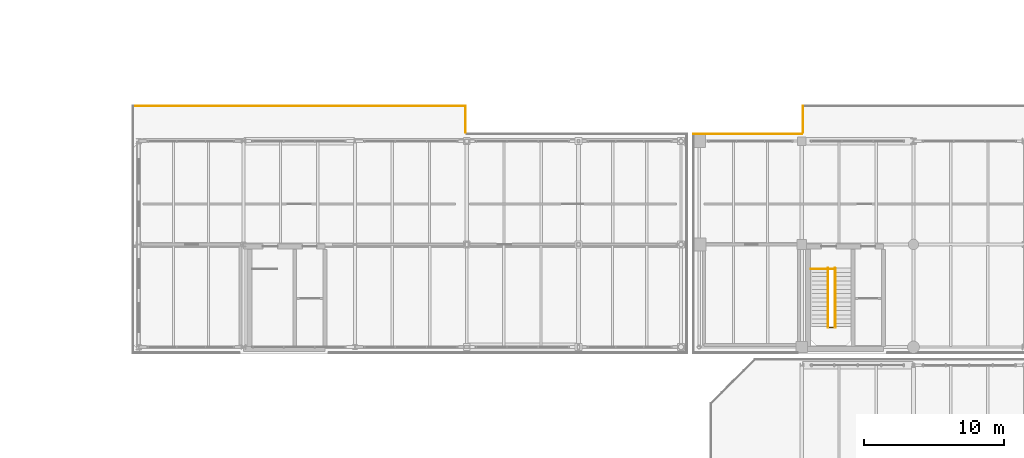
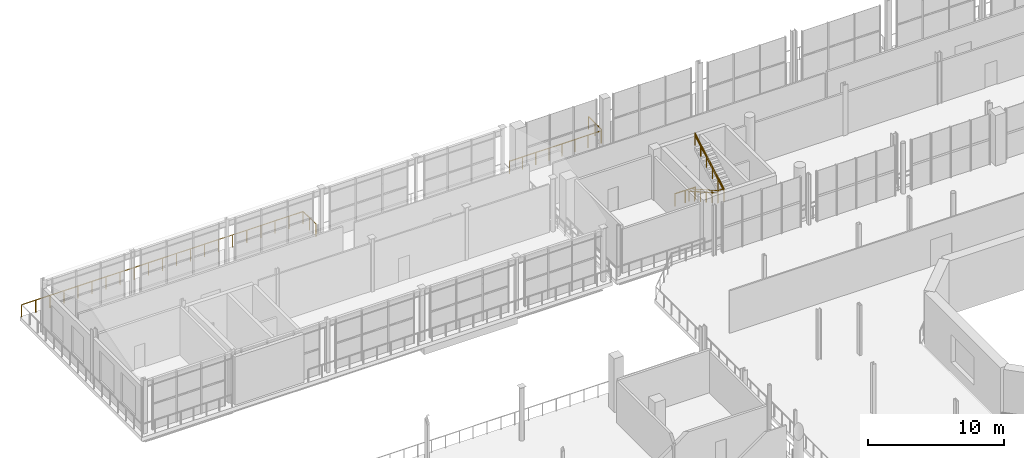
# One storey, part 88 of 93: 10 railings.
"""IFC4 building model written with IfcOpenShell, lengths in metres."""

from ifc_helpers import new_model, si_unit, direction, frame, origin, origin_2d, place, context, subcontext, project, spatial, circle, extrude, material, type_object, element, save


model = new_model("IFC4")

# Units and contexts
model_context = context("Model", 3, precision=1e-05, world=origin(), true_north=direction((0.0, 1.0)))
body_context = subcontext(model_context, "Body", "Model", "MODEL_VIEW")
ifc_project = project(units=[si_unit("LENGTHUNIT", "METRE"), si_unit("AREAUNIT", "SQUARE_METRE"), si_unit("VOLUMEUNIT", "CUBIC_METRE"), si_unit("PLANEANGLEUNIT", "RADIAN"), si_unit("MASSUNIT", "GRAM", prefix="KILO")], contexts=[model_context])

# Site, building, storey
site_placement = place(None, origin())
site = spatial("IfcSite", under=ifc_project, at=site_placement, CompositionType="ELEMENT")
building_placement = place(site_placement, origin())
building = spatial("IfcBuilding", under=site, at=building_placement, Name="Brisemont Oceanarium", CompositionType="ELEMENT")
storey_placement = place(building_placement, frame((0.0, 0.0, 5.39990234375)))
storey = spatial("IfcBuildingStorey", under=building, at=storey_placement, Name="L01", CompositionType="ELEMENT", Elevation=5.39990234375)

# Railings
ifc_material_1 = material(Name="Beaux-Arts Limestone Balustrade Precast Concrete C40/50", Category="masonry")
railing_type_1 = type_object("IfcRailingType", Name="RLG-BAL-1140", PredefinedType="BALUSTRADE", material=ifc_material_1)
railing_1_placement = place(storey_placement, frame((64.08984375, 96.015625, 0.0)))
element("IfcRailing", 1, at=railing_1_placement, inside=storey, type_object=railing_type_1, Name="L01 slab perimeter safety guard 68", PredefinedType="BALUSTRADE", context=body_context, shape_type="SweptSolid", body=[
    extrude(circle(Radius=0.02392578125, at=origin_2d()), frame((0.0, 0.0, 1.11572265625), z_axis=(0.000128915817, 0.99999999169, 0.0), x_axis=(-0.99999999169, 0.000128915817, 0.0)), (0.0, 0.0, 1.0), 1.893798828125),
    extrude(circle(Radius=0.02099609375, at=origin_2d()), origin(), (0.0, 0.0, 1.0), 1.091796875),
    extrude(circle(Radius=0.02099609375, at=origin_2d()), frame((0.0, 0.94677734375, 0.0)), (0.0, 0.0, 1.0), 1.091796875),
    extrude(circle(Radius=0.02099609375, at=origin_2d()), frame((0.000244140625, 1.893798828125, 0.0)), (0.0, 0.0, 1.0), 1.091796875),
])
railing_2_placement = place(storey_placement, frame((39.909423828125, 97.909912109375, 0.0)))
element("IfcRailing", 2, at=railing_2_placement, inside=storey, type_object=railing_type_1, Name="L01 slab perimeter safety guard 104", PredefinedType="BALUSTRADE", context=body_context, shape_type="SweptSolid", body=[
    extrude(circle(Radius=0.02392578125, at=origin_2d()), frame((0.0, 0.0, 1.11572265625), z_axis=(0.000386647735, -0.999999925252, 0.0), x_axis=(0.999999925252, 0.000386647735, 0.0)), (0.0, 0.0, 1.0), 1.894287109375),
    extrude(circle(Radius=0.02099609375, at=origin_2d()), origin(), (0.0, 0.0, 1.0), 1.091796875),
    extrude(circle(Radius=0.02099609375, at=origin_2d()), frame((0.00048828125, -0.947265625, 0.0)), (0.0, 0.0, 1.0), 1.091796875),
    extrude(circle(Radius=0.02099609375, at=origin_2d()), frame((0.000732421875, -1.894287109375, 0.0)), (0.0, 0.0, 1.0), 1.091796875),
])
ifc_material_2 = material(Name="Duplex Stainless Steel EN 1.4462", Category="steel")
railing_type_2 = type_object("IfcRailingType", Name="RLG-GUARD-1120", PredefinedType="GUARDRAIL", material=ifc_material_2)
railing_3_placement = place(storey_placement, frame((64.669921875, 86.239990234375, 0.0)))
element("IfcRailing", 3, at=railing_3_placement, inside=storey, type_object=railing_type_2, Name="ST-08 L01 landing edge guard", PredefinedType="GUARDRAIL", context=body_context, shape_type="SweptSolid", body=[
    extrude(circle(Radius=0.02392578125, at=origin_2d()), frame((0.0, 0.0, 1.09619140625), z_axis=(1.0, 0.0, 0.0), x_axis=(0.0, 1.0, 0.0)), (0.0, 0.0, 1.0), 1.719970703125),
    extrude(circle(Radius=0.02099609375, at=origin_2d()), origin(), (0.0, 0.0, 1.0), 1.072021484375),
    extrude(circle(Radius=0.02099609375, at=origin_2d()), frame((0.85986328125, 0.0, 0.0)), (0.0, 0.0, 1.0), 1.072021484375),
    extrude(circle(Radius=0.02099609375, at=origin_2d()), frame((1.719970703125, 0.0, 0.0)), (0.0, 0.0, 1.0), 1.072021484375),
])
railing_4_placement = place(storey_placement, frame((65.8701171875, 86.300048828125, 0.0)))
element("IfcRailing", 4, at=railing_4_placement, inside=storey, type_object=railing_type_2, Name="ST-08 L01 F1 well guard", PredefinedType="GUARDRAIL", context=body_context, shape_type="SweptSolid", body=[
    extrude(circle(Radius=0.02392578125, at=origin_2d()), frame((0.0, 0.0, 1.09619140625), z_axis=(0.0, -0.870740716755, 0.491742416499), x_axis=(1.0, 0.0, 0.0)), (0.0, 0.0, 1.0), 4.880859375),
    extrude(circle(Radius=0.02099609375, at=origin_2d()), origin(), (0.0, 0.0, 1.0), 1.072021484375),
    extrude(circle(Radius=0.02099609375, at=origin_2d()), frame((0.0, -0.85009765625, 0.47998046875)), (0.0, 0.0, 1.0), 1.072021484375),
    extrude(circle(Radius=0.02099609375, at=origin_2d()), frame((0.0, -1.699951171875, 0.9599609375)), (0.0, 0.0, 1.0), 1.072021484375),
    extrude(circle(Radius=0.02099609375, at=origin_2d()), frame((0.0, -2.550048828125, 1.440185546875)), (0.0, 0.0, 1.0), 1.072021484375),
    extrude(circle(Radius=0.02099609375, at=origin_2d()), frame((0.0, -3.39990234375, 1.920166015625)), (0.0, 0.0, 1.0), 1.072021484375),
    extrude(circle(Radius=0.02099609375, at=origin_2d()), frame((0.0, -4.25, 2.400146484375)), (0.0, 0.0, 1.0), 1.072021484375),
])
railing_5_placement = place(storey_placement, frame((66.389892578125, 82.050048828125, 2.400146484375)))
element("IfcRailing", 5, at=railing_5_placement, inside=storey, type_object=railing_type_2, Name="ST-08 L01 F2 well guard", PredefinedType="GUARDRAIL", context=body_context, shape_type="SweptSolid", body=[
    extrude(circle(Radius=0.02392578125, at=origin_2d()), frame((0.0, 0.0, 1.09619140625), z_axis=(0.0, 0.870762133844, 0.491704490791), x_axis=(-1.0, 0.0, 0.0)), (0.0, 0.0, 1.0), 4.880859375),
    extrude(circle(Radius=0.02099609375, at=origin_2d()), origin(), (0.0, 0.0, 1.0), 1.072021484375),
    extrude(circle(Radius=0.02099609375, at=origin_2d()), frame((0.0, 0.85009765625, 0.47998046875)), (0.0, 0.0, 1.0), 1.072021484375),
    extrude(circle(Radius=0.02099609375, at=origin_2d()), frame((0.0, 1.699951171875, 0.9599609375)), (0.0, 0.0, 1.0), 1.072021484375),
    extrude(circle(Radius=0.02099609375, at=origin_2d()), frame((0.0, 2.550048828125, 1.43994140625)), (0.0, 0.0, 1.0), 1.072021484375),
    extrude(circle(Radius=0.02099609375, at=origin_2d()), frame((0.0, 3.39990234375, 1.919921875)), (0.0, 0.0, 1.0), 1.072021484375),
    extrude(circle(Radius=0.02099609375, at=origin_2d()), frame((0.0, 4.25, 2.39990234375)), (0.0, 0.0, 1.0), 1.072021484375),
])
railing_6_placement = place(storey_placement, frame((65.8701171875, 82.050048828125, 2.400146484375)))
element("IfcRailing", 6, at=railing_6_placement, inside=storey, type_object=railing_type_2, Name="ST-08 L01 landing slot guard", PredefinedType="GUARDRAIL", context=body_context, shape_type="SweptSolid", body=[
    extrude(circle(Radius=0.02392578125, at=origin_2d()), frame((0.0, 0.0, 1.09619140625), z_axis=(1.0, 0.0, 0.0), x_axis=(0.0, 1.0, 0.0)), (0.0, 0.0, 1.0), 0.519775390625),
    extrude(circle(Radius=0.02099609375, at=origin_2d()), origin(), (0.0, 0.0, 1.0), 1.072021484375),
    extrude(circle(Radius=0.02099609375, at=origin_2d()), frame((0.519775390625, 0.0, 0.0)), (0.0, 0.0, 1.0), 1.072021484375),
])
railing_7_placement = place(storey_placement, frame((56.239990234375, 95.909423828125, 0.0)))
element("IfcRailing", 7, at=railing_7_placement, inside=storey, type_object=railing_type_2, Name="L01 slab perimeter safety guard 67", PredefinedType="GUARDRAIL", context=body_context, shape_type="SweptSolid", body=[
    extrude(circle(Radius=0.02392578125, at=origin_2d()), frame((0.0, 0.0, 1.09619140625), z_axis=(0.999999857259, 0.000534305484, 0.0), x_axis=(-0.000534305484, 0.999999857259, 0.0)), (0.0, 0.0, 1.0), 7.767822265625),
    extrude(circle(Radius=0.02099609375, at=origin_2d()), origin(), (0.0, 0.0, 1.0), 1.072021484375),
    extrude(circle(Radius=0.02099609375, at=origin_2d()), frame((1.109619140625, 0.00048828125, 0.0)), (0.0, 0.0, 1.0), 1.072021484375),
    extrude(circle(Radius=0.02099609375, at=origin_2d()), frame((2.219482421875, 0.001220703125, 0.0)), (0.0, 0.0, 1.0), 1.072021484375),
    extrude(circle(Radius=0.02099609375, at=origin_2d()), frame((3.3291015625, 0.001708984375, 0.0)), (0.0, 0.0, 1.0), 1.072021484375),
    extrude(circle(Radius=0.02099609375, at=origin_2d()), frame((4.438720703125, 0.00244140625, 0.0)), (0.0, 0.0, 1.0), 1.072021484375),
    extrude(circle(Radius=0.02099609375, at=origin_2d()), frame((5.54833984375, 0.0029296875, 0.0)), (0.0, 0.0, 1.0), 1.072021484375),
    extrude(circle(Radius=0.02099609375, at=origin_2d()), frame((6.658203125, 0.003662109375, 0.0)), (0.0, 0.0, 1.0), 1.072021484375),
    extrude(circle(Radius=0.02099609375, at=origin_2d()), frame((7.767822265625, 0.004150390625, 0.0)), (0.0, 0.0, 1.0), 1.072021484375),
])
railing_8_placement = place(storey_placement, frame((16.090087890625, 97.909423828125, 0.0)))
element("IfcRailing", 8, at=railing_8_placement, inside=storey, type_object=railing_type_2, Name="L01 slab perimeter safety guard 103", PredefinedType="GUARDRAIL", context=body_context, shape_type="SweptSolid", body=[
    extrude(circle(Radius=0.02392578125, at=origin_2d()), frame((0.0, 0.0, 1.09619140625), z_axis=(0.99999999979, 2.0499365e-05, 0.0), x_axis=(-2.0499365e-05, 0.99999999979, 0.0)), (0.0, 0.0, 1.0), 23.8193359375),
    extrude(circle(Radius=0.02099609375, at=origin_2d()), origin(), (0.0, 0.0, 1.0), 1.072021484375),
    extrude(circle(Radius=0.02099609375, at=origin_2d()), frame((1.19091796875, 0.0, 0.0)), (0.0, 0.0, 1.0), 1.072021484375),
    extrude(circle(Radius=0.02099609375, at=origin_2d()), frame((2.3818359375, 0.0, 0.0)), (0.0, 0.0, 1.0), 1.072021484375),
    extrude(circle(Radius=0.02099609375, at=origin_2d()), frame((3.572998046875, 0.0, 0.0)), (0.0, 0.0, 1.0), 1.072021484375),
    extrude(circle(Radius=0.02099609375, at=origin_2d()), frame((4.763916015625, 0.0, 0.0)), (0.0, 0.0, 1.0), 1.072021484375),
    extrude(circle(Radius=0.02099609375, at=origin_2d()), frame((5.954833984375, 0.0, 0.0)), (0.0, 0.0, 1.0), 1.072021484375),
    extrude(circle(Radius=0.02099609375, at=origin_2d()), frame((7.145751953125, 0.000244140625, 0.0)), (0.0, 0.0, 1.0), 1.072021484375),
    extrude(circle(Radius=0.02099609375, at=origin_2d()), frame((8.336669921875, 0.000244140625, 0.0)), (0.0, 0.0, 1.0), 1.072021484375),
    extrude(circle(Radius=0.02099609375, at=origin_2d()), frame((9.52783203125, 0.000244140625, 0.0)), (0.0, 0.0, 1.0), 1.072021484375),
    extrude(circle(Radius=0.02099609375, at=origin_2d()), frame((10.71875, 0.000244140625, 0.0)), (0.0, 0.0, 1.0), 1.072021484375),
    extrude(circle(Radius=0.02099609375, at=origin_2d()), frame((11.90966796875, 0.000244140625, 0.0)), (0.0, 0.0, 1.0), 1.072021484375),
    extrude(circle(Radius=0.02099609375, at=origin_2d()), frame((13.1005859375, 0.000244140625, 0.0)), (0.0, 0.0, 1.0), 1.072021484375),
    extrude(circle(Radius=0.02099609375, at=origin_2d()), frame((14.29150390625, 0.000244140625, 0.0)), (0.0, 0.0, 1.0), 1.072021484375),
    extrude(circle(Radius=0.02099609375, at=origin_2d()), frame((15.482666015625, 0.000244140625, 0.0)), (0.0, 0.0, 1.0), 1.072021484375),
    extrude(circle(Radius=0.02099609375, at=origin_2d()), frame((16.673583984375, 0.000244140625, 0.0)), (0.0, 0.0, 1.0), 1.072021484375),
    extrude(circle(Radius=0.02099609375, at=origin_2d()), frame((17.864501953125, 0.00048828125, 0.0)), (0.0, 0.0, 1.0), 1.072021484375),
    extrude(circle(Radius=0.02099609375, at=origin_2d()), frame((19.055419921875, 0.00048828125, 0.0)), (0.0, 0.0, 1.0), 1.072021484375),
    extrude(circle(Radius=0.02099609375, at=origin_2d()), frame((20.246337890625, 0.00048828125, 0.0)), (0.0, 0.0, 1.0), 1.072021484375),
    extrude(circle(Radius=0.02099609375, at=origin_2d()), frame((21.4375, 0.00048828125, 0.0)), (0.0, 0.0, 1.0), 1.072021484375),
    extrude(circle(Radius=0.02099609375, at=origin_2d()), frame((22.62841796875, 0.00048828125, 0.0)), (0.0, 0.0, 1.0), 1.072021484375),
    extrude(circle(Radius=0.02099609375, at=origin_2d()), frame((23.8193359375, 0.00048828125, 0.0)), (0.0, 0.0, 1.0), 1.072021484375),
])
ifc_material_3 = material(Name="Duplex Stainless Steel EN 1.4462", Category="steel")
railing_type_3 = type_object("IfcRailingType", Name="RLG-HAND-900", PredefinedType="HANDRAIL", material=ifc_material_3)
railing_9_placement = place(storey_placement, frame((65.8701171875, 86.300048828125, 0.0)))
element("IfcRailing", 9, at=railing_9_placement, inside=storey, type_object=railing_type_3, Name="ST-08 L01 F1 handrail", PredefinedType="HANDRAIL", context=body_context, shape_type="SweptSolid", body=[
    extrude(circle(Radius=0.02392578125, at=origin_2d()), frame((0.0, 0.0, 0.8759765625), z_axis=(0.0, -0.870740716755, 0.491742416499), x_axis=(1.0, 0.0, 0.0)), (0.0, 0.0, 1.0), 4.880859375),
    extrude(circle(Radius=0.02099609375, at=origin_2d()), origin(), (0.0, 0.0, 1.0), 0.851806640625),
    extrude(circle(Radius=0.02099609375, at=origin_2d()), frame((0.0, -0.85009765625, 0.47998046875)), (0.0, 0.0, 1.0), 0.851806640625),
    extrude(circle(Radius=0.02099609375, at=origin_2d()), frame((0.0, -1.699951171875, 0.9599609375)), (0.0, 0.0, 1.0), 0.851806640625),
    extrude(circle(Radius=0.02099609375, at=origin_2d()), frame((0.0, -2.550048828125, 1.440185546875)), (0.0, 0.0, 1.0), 0.851806640625),
    extrude(circle(Radius=0.02099609375, at=origin_2d()), frame((0.0, -3.39990234375, 1.920166015625)), (0.0, 0.0, 1.0), 0.851806640625),
    extrude(circle(Radius=0.02099609375, at=origin_2d()), frame((0.0, -4.25, 2.400146484375)), (0.0, 0.0, 1.0), 0.851806640625),
])
railing_10_placement = place(storey_placement, frame((66.389892578125, 82.050048828125, 2.400146484375)))
element("IfcRailing", 10, at=railing_10_placement, inside=storey, type_object=railing_type_3, Name="ST-08 L01 F2 handrail", PredefinedType="HANDRAIL", context=body_context, shape_type="SweptSolid", body=[
    extrude(circle(Radius=0.02392578125, at=origin_2d()), frame((0.0, 0.0, 0.8759765625), z_axis=(0.0, 0.870762133844, 0.491704490791), x_axis=(-1.0, 0.0, 0.0)), (0.0, 0.0, 1.0), 4.880859375),
    extrude(circle(Radius=0.02099609375, at=origin_2d()), origin(), (0.0, 0.0, 1.0), 0.851806640625),
    extrude(circle(Radius=0.02099609375, at=origin_2d()), frame((0.0, 0.85009765625, 0.47998046875)), (0.0, 0.0, 1.0), 0.851806640625),
    extrude(circle(Radius=0.02099609375, at=origin_2d()), frame((0.0, 1.699951171875, 0.9599609375)), (0.0, 0.0, 1.0), 0.851806640625),
    extrude(circle(Radius=0.02099609375, at=origin_2d()), frame((0.0, 2.550048828125, 1.43994140625)), (0.0, 0.0, 1.0), 0.851806640625),
    extrude(circle(Radius=0.02099609375, at=origin_2d()), frame((0.0, 3.39990234375, 1.919921875)), (0.0, 0.0, 1.0), 0.851806640625),
    extrude(circle(Radius=0.02099609375, at=origin_2d()), frame((0.0, 4.25, 2.39990234375)), (0.0, 0.0, 1.0), 0.851806640625),
])

save(model, "model.ifc")
